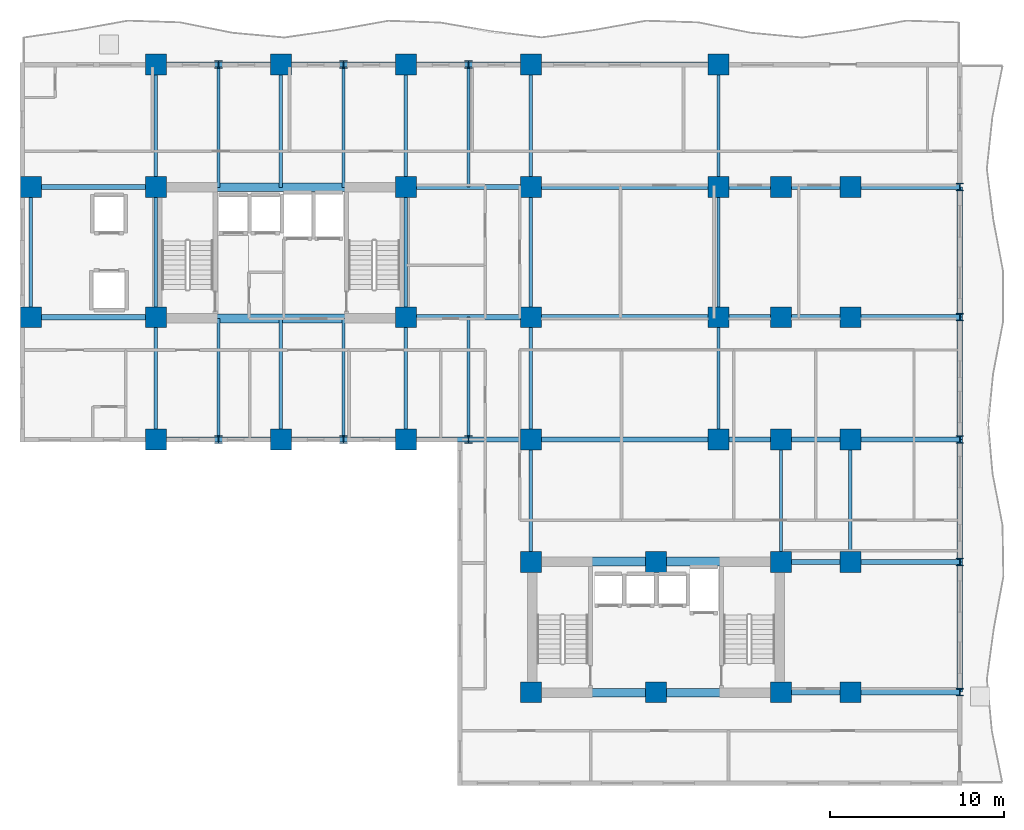
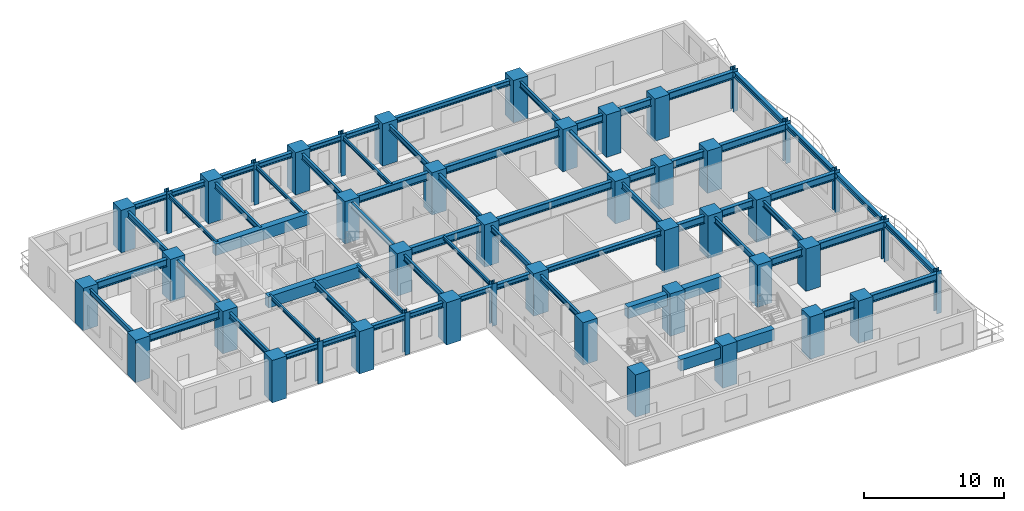
# One storey, part 1 of 11: 65 beams, 45 columns.
"""IFC4 building model written with IfcOpenShell, lengths in metres."""

from ifc_helpers import new_model, si_unit, direction, frame, origin, origin_2d, place, context, subcontext, project, spatial, rectangle, i_section, extrude, source, transform, mapped, material, material_profile, profile_set, type_object, element, save


model = new_model("IFC4")

# Units and contexts
model_context = context("Model", 3, precision=1e-05, world=origin(), true_north=direction((0.0, 1.0)))
body_context = subcontext(model_context, "Body", "Model", "MODEL_VIEW")
ifc_project = project(units=[si_unit("LENGTHUNIT", "METRE"), si_unit("AREAUNIT", "SQUARE_METRE"), si_unit("VOLUMEUNIT", "CUBIC_METRE"), si_unit("PLANEANGLEUNIT", "RADIAN"), si_unit("MASSUNIT", "GRAM", prefix="KILO")], contexts=[model_context])

# Site, building, storey
site_placement = place(None, origin())
site = spatial("IfcSite", under=ifc_project, at=site_placement, CompositionType="ELEMENT")
building_placement = place(site_placement, origin())
building = spatial("IfcBuilding", under=site, at=building_placement, Name="Kaliganga Portal Commons", CompositionType="ELEMENT")
storey_placement = place(building_placement, frame((0.0, 0.0, 100.800048828125)))
storey = spatial("IfcBuildingStorey", under=building, at=storey_placement, Name="L25", CompositionType="ELEMENT", Elevation=100.800048828125)

# Columns
ifc_material_1 = material(Name="Concrete C60/75", Category="concrete")
ifc_material_profile_1 = material_profile(ifc_material_1, rectangle(XDim=1.199951171875, YDim=1.199951171875, at=origin_2d()), Name="RC 1200x1200")
ifc_profile_set_1 = profile_set([ifc_material_profile_1], Name="Concrete C60/75")
column_type_1 = type_object("IfcColumnType", Name="COL-MEGA-Z2", PredefinedType="COLUMN", material=ifc_profile_set_1)
shared_shape_1 = source(origin(), body_context, "Body", "SweptSolid", [
    extrude(rectangle(XDim=1.199951171875, YDim=1.199951171875, at=origin_2d()), origin(), (0.0, 0.0, 1.0), 3.699951171875),
])
for number, where, z_axis, x_axis, name in (
    (1, (7.199951171875, 28.64990234375, 0.0), (0.0, 0.0, 1.0), (1.0, 0.0, 0.0), "Column MC-03 L25"),
    (2, (7.199951171875, 36.14990234375, 0.0), (0.0, 0.0, 1.0), (1.0, 0.0, 0.0), "Column MC-03 L25"),
    (3, (14.39990234375, 21.60009765625, 0.0), (0.0, 0.0, 1.0), (1.0, 0.0, 0.0), "Column MC-03 L25"),
    (4, (14.39990234375, 28.64990234375, 0.0), (0.0, 0.0, 1.0), (1.0, 0.0, 0.0), "Column MC-03 L25"),
    (5, (14.39990234375, 36.14990234375, 0.0), (0.0, 0.0, 1.0), (1.0, 0.0, 0.0), "Column MC-03 L25"),
    (6, (14.39990234375, 43.199951171875, 0.0), (0.0, 0.0, 1.0), (1.0, 0.0, 0.0), "Column MC-03 L25"),
    (7, (21.60009765625, 21.60009765625, 0.0), (0.0, 0.0, 1.0), (1.0, 0.0, 0.0), "Column MC-03 L25"),
    (8, (21.60009765625, 43.199951171875, 0.0), (0.0, 0.0, 1.0), (1.0, 0.0, 0.0), "Column MC-03 L25"),
    (9, (28.800048828125, 21.60009765625, 0.0), (0.0, 0.0, 1.0), (1.0, 0.0, 0.0), "Column MC-03 L25"),
    (10, (28.800048828125, 28.64990234375, 0.0), (0.0, 0.0, 1.0), (1.0, 0.0, 0.0), "Column MC-03 L25"),
    (11, (28.800048828125, 36.14990234375, 0.0), (0.0, 0.0, 1.0), (1.0, 0.0, 0.0), "Column MC-03 L25"),
    (12, (28.800048828125, 43.199951171875, 0.0), (0.0, 0.0, 1.0), (1.0, 0.0, 0.0), "Column MC-03 L25"),
    (13, (36.0, 21.60009765625, 0.0), (0.0, 0.0, 1.0), (1.0, 0.0, 0.0), "Column MC-03 L25"),
    (14, (36.0, 43.199951171875, 0.0), (0.0, 0.0, 1.0), (1.0, 0.0, 0.0), "Column MC-03 L25"),
    (15, (36.0, 28.64990234375, 0.0), (0.0, 0.0, 1.0), (1.0, 0.0, 0.0), "Column MC-03 L25"),
    (16, (36.0, 36.14990234375, 0.0), (0.0, 0.0, 1.0), (1.0, 0.0, 0.0), "Column MC-03 L25"),
    (17, (46.800048828125, 21.60009765625, 0.0), (0.0, 0.0, 1.0), (1.0, 0.0, 0.0), "Column MC-03 L25"),
    (18, (46.800048828125, 28.64990234375, 0.0), (0.0, 0.0, 1.0), (1.0, 0.0, 0.0), "Column MC-03 L25"),
    (19, (46.800048828125, 36.14990234375, 0.0), (0.0, 0.0, 1.0), (1.0, 0.0, 0.0), "Column MC-03 L25"),
    (20, (46.800048828125, 43.199951171875, 0.0), (0.0, 0.0, 1.0), (1.0, 0.0, 0.0), "Column MC-03 L25"),
    (21, (36.0, 7.050048828125, 0.0), (0.0, 0.0, 1.0), (1.0, 0.0, 0.0), "Column MC-03 L25"),
    (22, (36.0, 14.550048828125, 0.0), (0.0, 0.0, 1.0), (1.0, 0.0, 0.0), "Column MC-03 L25"),
    (23, (43.199951171875, 7.050048828125, 0.0), (0.0, 0.0, 1.0), (1.0, 0.0, 0.0), "Column MC-03 L25"),
    (24, (43.199951171875, 14.550048828125, 0.0), (0.0, 0.0, 1.0), (1.0, 0.0, 0.0), "Column MC-03 L25"),
    (25, (50.39990234375, 7.050048828125, 0.0), (0.0, 0.0, 1.0), (1.0, 0.0, 0.0), "Column MC-03 L25"),
    (26, (50.39990234375, 14.550048828125, 0.0), (0.0, 0.0, 1.0), (1.0, 0.0, 0.0), "Column MC-03 L25"),
    (27, (50.39990234375, 21.60009765625, 0.0), (0.0, 0.0, 1.0), (1.0, 0.0, 0.0), "Column MC-03 L25"),
    (28, (50.39990234375, 28.64990234375, 0.0), (0.0, 0.0, 1.0), (1.0, 0.0, 0.0), "Column MC-03 L25"),
    (29, (50.39990234375, 36.14990234375, 0.0), (0.0, 0.0, 1.0), (1.0, 0.0, 0.0), "Column MC-03 L25"),
    (30, (54.39990234375, 7.050048828125, 0.0), (0.0, 0.0, 1.0), (1.0, 0.0, 0.0), "Column MC-03 L25"),
    (31, (54.39990234375, 14.550048828125, 0.0), (0.0, 0.0, 1.0), (1.0, 0.0, 0.0), "Column MC-03 L25"),
    (32, (54.39990234375, 21.60009765625, 0.0), (0.0, 0.0, 1.0), (1.0, 0.0, 0.0), "Column MC-03 L25"),
    (33, (54.39990234375, 28.64990234375, 0.0), (0.0, 0.0, 1.0), (1.0, 0.0, 0.0), "Column MC-03 L25"),
    (34, (54.39990234375, 36.14990234375, 0.0), (0.0, 0.0, 1.0), (1.0, 0.0, 0.0), "Column MC-03 L25"),
):
    element("IfcColumn", number, at=place(storey_placement, frame(where, z_axis=z_axis, x_axis=x_axis)), inside=storey, type_object=column_type_1, Name=name, PredefinedType="COLUMN", context=body_context, shape_type="MappedRepresentation", body=[
        mapped(shared_shape_1, transform((0.0, 0.0, 0.0), x_axis=(1.0, 0.0, 0.0), y_axis=(0.0, 1.0, 0.0), z_axis=(0.0, 0.0, 1.0), scale=1.0)),
    ])
ifc_material_2 = material(Name="Structural steel S460M", Category="steel")
ifc_material_profile_2 = material_profile(ifc_material_2, i_section(OverallWidth=0.408935546875, OverallDepth=0.429931640625, WebThickness=0.0244140625, FlangeThickness=0.033447265625, FilletRadius=0.014892578125, at=origin_2d()), Name="HD 400x421")
ifc_profile_set_2 = profile_set([ifc_material_profile_2], Name="Structural steel S460M wide-flange")
column_type_2 = type_object("IfcColumnType", Name="COL-TUBE-B2", PredefinedType="COLUMN", material=ifc_profile_set_2)
shared_shape_2 = source(origin(), body_context, "Body", "SweptSolid", [
    extrude(i_section(OverallWidth=0.408935546875, OverallDepth=0.429931640625, WebThickness=0.0244140625, FlangeThickness=0.033447265625, FilletRadius=0.014892578125, at=origin_2d()), origin(), (0.0, 0.0, 1.0), 3.699951171875),
])
for number, where, z_axis, x_axis, name in (
    (35, (18.0, 21.60009765625, 0.0), (0.0, 0.0, 1.0), (1.0, 0.0, 0.0), "Column TC-02 L25"),
    (36, (18.0, 43.199951171875, 0.0), (0.0, 0.0, 1.0), (1.0, 0.0, 0.0), "Column TC-02 L25"),
    (37, (25.199951171875, 21.60009765625, 0.0), (0.0, 0.0, 1.0), (1.0, 0.0, 0.0), "Column TC-02 L25"),
    (38, (25.199951171875, 43.199951171875, 0.0), (0.0, 0.0, 1.0), (1.0, 0.0, 0.0), "Column TC-02 L25"),
    (39, (32.39990234375, 21.60009765625, 0.0), (0.0, 0.0, 1.0), (1.0, 0.0, 0.0), "Column TC-02 L25"),
    (40, (32.39990234375, 43.199951171875, 0.0), (0.0, 0.0, 1.0), (1.0, 0.0, 0.0), "Column TC-02 L25"),
    (41, (60.699951171875, 7.050048828125, 0.0), (0.0, 0.0, 1.0), (1.0, 0.0, 0.0), "Column TC-02 L25"),
    (42, (60.699951171875, 14.550048828125, 0.0), (0.0, 0.0, 1.0), (1.0, 0.0, 0.0), "Column TC-02 L25"),
    (43, (60.699951171875, 21.60009765625, 0.0), (0.0, 0.0, 1.0), (1.0, 0.0, 0.0), "Column TC-02 L25"),
    (44, (60.699951171875, 28.64990234375, 0.0), (0.0, 0.0, 1.0), (1.0, 0.0, 0.0), "Column TC-02 L25"),
    (45, (60.699951171875, 36.14990234375, 0.0), (0.0, 0.0, 1.0), (1.0, 0.0, 0.0), "Column TC-02 L25"),
):
    element("IfcColumn", number, at=place(storey_placement, frame(where, z_axis=z_axis, x_axis=x_axis)), inside=storey, type_object=column_type_2, Name=name, PredefinedType="COLUMN", context=body_context, shape_type="MappedRepresentation", body=[
        mapped(shared_shape_2, transform((0.0, 0.0, 0.0), x_axis=(1.0, 0.0, 0.0), y_axis=(0.0, 1.0, 0.0), z_axis=(0.0, 0.0, 1.0), scale=1.0)),
    ])

# Beams
ifc_material_3 = material(Name="Concrete C50/60", Category="concrete")
ifc_material_profile_3 = material_profile(ifc_material_3, rectangle(XDim=0.5, YDim=1.0, at=origin_2d()), Name="RC 500x1000")
ifc_profile_set_3 = profile_set([ifc_material_profile_3], Name="Concrete C50/60")
beam_type_1 = type_object("IfcBeamType", Name="BM-CPL-1000", PredefinedType="LINTEL", material=ifc_profile_set_3)
shared_shape_3 = source(origin(), body_context, "Body", "SweptSolid", [
    extrude(rectangle(XDim=0.5, YDim=1.0, at=origin_2d()), origin(), (0.0, 0.0, 1.0), 7.739990234375),
])
for number, where, z_axis, x_axis, name in (
    (46, (17.72998046875, 28.574951171875, 2.949951171875), (1.0, 0.0, 0.0), (0.0, 1.0, 0.0), "BM CPL COREA L25 S"),
    (47, (17.72998046875, 36.125, 2.949951171875), (1.0, 0.0, 0.0), (0.0, 1.0, 0.0), "BM CPL COREA L25 N"),
    (48, (39.330078125, 7.02490234375, 2.949951171875), (1.0, 0.0, 0.0), (0.0, 1.0, 0.0), "BM CPL COREB L25 S"),
    (49, (39.330078125, 14.574951171875, 2.949951171875), (1.0, 0.0, 0.0), (0.0, 1.0, 0.0), "BM CPL COREB L25 N"),
):
    element("IfcBeam", number, at=place(storey_placement, frame(where, z_axis=z_axis, x_axis=x_axis)), inside=storey, type_object=beam_type_1, Name=name, PredefinedType="LINTEL", context=body_context, shape_type="MappedRepresentation", body=[
        mapped(shared_shape_3, transform((0.0, 0.0, 0.0), x_axis=(1.0, 0.0, 0.0), y_axis=(0.0, 1.0, 0.0), z_axis=(0.0, 0.0, 1.0), scale=1.0)),
    ])
ifc_material_4 = material(Name="Structural steel S355J2", Category="steel")
ifc_material_profile_4 = material_profile(ifc_material_4, i_section(OverallWidth=0.300048828125, OverallDepth=0.64990234375, WebThickness=0.01611328125, FlangeThickness=0.031005859375, FilletRadius=0.027099609375, at=origin_2d()), Name="HE 650 B")
ifc_profile_set_4 = profile_set([ifc_material_profile_4], Name="Structural steel S355J2 wide-flange")
beam_type_2 = type_object("IfcBeamType", Name="BM-GIRD-650", PredefinedType="USERDEFINED", material=ifc_profile_set_4)
shared_shape_4 = source(origin(), body_context, "Body", "SweptSolid", [
    extrude(i_section(OverallWidth=0.300048828125, OverallDepth=0.64990234375, WebThickness=0.01611328125, FlangeThickness=0.031005859375, FilletRadius=0.027099609375, at=origin_2d()), origin(), (0.0, 0.0, 1.0), 3.599853515625),
])
for number, where, z_axis, x_axis, name in (
    (50, (46.800048828125, 21.60009765625, 3.125), (1.0, 0.0, 0.0), (0.0, 1.0, 0.0), "BM G L25 BKE216 1"),
    (51, (46.800048828125, 28.64990234375, 3.125), (1.0, 0.0, 0.0), (0.0, 1.0, 0.0), "BM G L25 BKE286 1"),
    (52, (46.800048828125, 36.14990234375, 3.125), (1.0, 0.0, 0.0), (0.0, 1.0, 0.0), "BM G L25 BKE362 1"),
):
    element("IfcBeam", number, at=place(storey_placement, frame(where, z_axis=z_axis, x_axis=x_axis)), inside=storey, type_object=beam_type_2, Name=name, ObjectType="GIRDER", PredefinedType="USERDEFINED", context=body_context, shape_type="MappedRepresentation", body=[
        mapped(shared_shape_4, transform((0.0, 0.0, 0.0), x_axis=(1.0, 0.0, 0.0), y_axis=(0.0, 1.0, 0.0), z_axis=(0.0, 0.0, 1.0), scale=1.0)),
    ])
shared_shape_5 = source(origin(), body_context, "Body", "SweptSolid", [
    extrude(i_section(OverallWidth=0.300048828125, OverallDepth=0.64990234375, WebThickness=0.01611328125, FlangeThickness=0.031005859375, FilletRadius=0.027099609375, at=origin_2d()), origin(), (0.0, 0.0, 1.0), 7.199951171875),
])
for number, where, z_axis, x_axis, name in (
    (53, (7.199951171875, 28.64990234375, 3.125), (1.0, 0.0, 0.0), (0.0, 1.0, 0.0), "BM G L25 WAH_S 1"),
    (54, (7.199951171875, 36.14990234375, 3.125), (1.0, 0.0, 0.0), (0.0, 1.0, 0.0), "BM G L25 WAH_N 1"),
    (55, (28.800048828125, 28.64990234375, 3.125), (1.0, 0.0, 0.0), (0.0, 1.0, 0.0), "BM G L25 WAE_S 1"),
    (56, (28.800048828125, 36.14990234375, 3.125), (1.0, 0.0, 0.0), (0.0, 1.0, 0.0), "BM G L25 WAE_N 1"),
):
    element("IfcBeam", number, at=place(storey_placement, frame(where, z_axis=z_axis, x_axis=x_axis)), inside=storey, type_object=beam_type_2, Name=name, ObjectType="GIRDER", PredefinedType="USERDEFINED", context=body_context, shape_type="MappedRepresentation", body=[
        mapped(shared_shape_5, transform((0.0, 0.0, 0.0), x_axis=(1.0, 0.0, 0.0), y_axis=(0.0, 1.0, 0.0), z_axis=(0.0, 0.0, 1.0), scale=1.0)),
    ])
shared_shape_6 = source(origin(), body_context, "Body", "SweptSolid", [
    extrude(i_section(OverallWidth=0.300048828125, OverallDepth=0.64990234375, WebThickness=0.01611328125, FlangeThickness=0.031005859375, FilletRadius=0.027099609375, at=origin_2d()), origin(), (0.0, 0.0, 1.0), 10.800048828125),
])
for number, where, z_axis, x_axis, name in (
    (57, (36.0, 28.64990234375, 3.125), (1.0, 0.0, 0.0), (0.0, 1.0, 0.0), "BM G L25 WAE_S 2"),
    (58, (36.0, 36.14990234375, 3.125), (1.0, 0.0, 0.0), (0.0, 1.0, 0.0), "BM G L25 WAE_N 2"),
):
    element("IfcBeam", number, at=place(storey_placement, frame(where, z_axis=z_axis, x_axis=x_axis)), inside=storey, type_object=beam_type_2, Name=name, ObjectType="GIRDER", PredefinedType="USERDEFINED", context=body_context, shape_type="MappedRepresentation", body=[
        mapped(shared_shape_6, transform((0.0, 0.0, 0.0), x_axis=(1.0, 0.0, 0.0), y_axis=(0.0, 1.0, 0.0), z_axis=(0.0, 0.0, 1.0), scale=1.0)),
    ])
shared_shape_7 = source(origin(), body_context, "Body", "SweptSolid", [
    extrude(i_section(OverallWidth=0.300048828125, OverallDepth=0.64990234375, WebThickness=0.01611328125, FlangeThickness=0.031005859375, FilletRadius=0.027099609375, at=origin_2d()), origin(), (0.0, 0.0, 1.0), 4.0),
])
for number, where, z_axis, x_axis, name in (
    (59, (50.39990234375, 7.050048828125, 3.125), (1.0, 0.0, 0.0), (0.0, 1.0, 0.0), "BM G L25 BKE70 1"),
    (60, (50.39990234375, 14.550048828125, 3.125), (1.0, 0.0, 0.0), (0.0, 1.0, 0.0), "BM G L25 BKE146 1"),
    (61, (50.39990234375, 21.60009765625, 3.125), (1.0, 0.0, 0.0), (0.0, 1.0, 0.0), "BM G L25 BKE216 2"),
    (62, (50.39990234375, 28.64990234375, 3.125), (1.0, 0.0, 0.0), (0.0, 1.0, 0.0), "BM G L25 BKE286 2"),
    (63, (50.39990234375, 36.14990234375, 3.125), (1.0, 0.0, 0.0), (0.0, 1.0, 0.0), "BM G L25 BKE362 2"),
):
    element("IfcBeam", number, at=place(storey_placement, frame(where, z_axis=z_axis, x_axis=x_axis)), inside=storey, type_object=beam_type_2, Name=name, ObjectType="GIRDER", PredefinedType="USERDEFINED", context=body_context, shape_type="MappedRepresentation", body=[
        mapped(shared_shape_7, transform((0.0, 0.0, 0.0), x_axis=(1.0, 0.0, 0.0), y_axis=(0.0, 1.0, 0.0), z_axis=(0.0, 0.0, 1.0), scale=1.0)),
    ])
ifc_material_profile_5 = material_profile(ifc_material_4, i_section(OverallWidth=0.199951171875, OverallDepth=0.5, WebThickness=0.01025390625, FlangeThickness=0.01611328125, FilletRadius=0.02099609375, at=origin_2d()), Name="IPE 500")
ifc_profile_set_5 = profile_set([ifc_material_profile_5], Name="Structural steel S355J2 wide-flange")
beam_type_3 = type_object("IfcBeamType", Name="BM-FLR-500", PredefinedType="BEAM", material=ifc_profile_set_5)
shared_shape_8 = source(origin(), body_context, "Body", "SweptSolid", [
    extrude(i_section(OverallWidth=0.199951171875, OverallDepth=0.5, WebThickness=0.01025390625, FlangeThickness=0.01611328125, FilletRadius=0.02099609375, at=origin_2d()), origin(), (0.0, 0.0, 1.0), 7.5),
])
for number, where, z_axis, x_axis, name in (
    (64, (7.199951171875, 28.64990234375, 3.199951171875), (0.0, 1.0, 0.0), (-1.0, 0.0, 0.0), "BM G L25 AW72"),
    (65, (14.39990234375, 28.64990234375, 3.199951171875), (0.0, 1.0, 0.0), (-1.0, 0.0, 0.0), "BM G L25 AM144"),
    (66, (28.800048828125, 28.64990234375, 3.199951171875), (0.0, 1.0, 0.0), (-1.0, 0.0, 0.0), "BM G L25 AM288"),
    (67, (36.0, 28.64990234375, 3.199951171875), (0.0, 1.0, 0.0), (-1.0, 0.0, 0.0), "BM G L25 AM360"),
    (68, (46.800048828125, 28.64990234375, 3.199951171875), (0.0, 1.0, 0.0), (-1.0, 0.0, 0.0), "BM G L25 AM468"),
):
    element("IfcBeam", number, at=place(storey_placement, frame(where, z_axis=z_axis, x_axis=x_axis)), inside=storey, type_object=beam_type_3, Name=name, PredefinedType="BEAM", context=body_context, shape_type="MappedRepresentation", body=[
        mapped(shared_shape_8, transform((0.0, 0.0, 0.0), x_axis=(1.0, 0.0, 0.0), y_axis=(0.0, 1.0, 0.0), z_axis=(0.0, 0.0, 1.0), scale=1.0)),
    ])
shared_shape_9 = source(origin(), body_context, "Body", "SweptSolid", [
    extrude(i_section(OverallWidth=0.199951171875, OverallDepth=0.5, WebThickness=0.01025390625, FlangeThickness=0.01611328125, FilletRadius=0.02099609375, at=origin_2d()), origin(), (0.0, 0.0, 1.0), 7.050048828125),
])
for number, where, z_axis, x_axis, name in (
    (69, (14.39990234375, 36.14990234375, 3.199951171875), (0.0, 1.0, 0.0), (-1.0, 0.0, 0.0), "BM G L25 AN144"),
    (70, (28.800048828125, 36.14990234375, 3.199951171875), (0.0, 1.0, 0.0), (-1.0, 0.0, 0.0), "BM G L25 AN288"),
    (71, (36.0, 36.14990234375, 3.199951171875), (0.0, 1.0, 0.0), (-1.0, 0.0, 0.0), "BM G L25 AN360"),
    (72, (46.800048828125, 36.14990234375, 3.199951171875), (0.0, 1.0, 0.0), (-1.0, 0.0, 0.0), "BM G L25 AN468"),
    (73, (36.0, 14.550048828125, 3.199951171875), (0.0, 1.0, 0.0), (-1.0, 0.0, 0.0), "BM G L25 BNK360"),
    (74, (50.39990234375, 14.550048828125, 3.199951171875), (0.0, 1.0, 0.0), (-1.0, 0.0, 0.0), "BM G L25 BNK504"),
    (75, (54.39990234375, 14.550048828125, 3.199951171875), (0.0, 1.0, 0.0), (-1.0, 0.0, 0.0), "BM G L25 BNK544"),
):
    element("IfcBeam", number, at=place(storey_placement, frame(where, z_axis=z_axis, x_axis=x_axis)), inside=storey, type_object=beam_type_3, Name=name, PredefinedType="BEAM", context=body_context, shape_type="MappedRepresentation", body=[
        mapped(shared_shape_9, transform((0.0, 0.0, 0.0), x_axis=(1.0, 0.0, 0.0), y_axis=(0.0, 1.0, 0.0), z_axis=(0.0, 0.0, 1.0), scale=1.0)),
    ])
shared_shape_10 = source(origin(), body_context, "Body", "SweptSolid", [
    extrude(i_section(OverallWidth=0.199951171875, OverallDepth=0.5, WebThickness=0.01025390625, FlangeThickness=0.01611328125, FilletRadius=0.02099609375, at=origin_2d()), origin(), (0.0, 0.0, 1.0), 7.0498046875),
])
for number, where, z_axis, x_axis, name in (
    (76, (14.39990234375, 21.60009765625, 3.199951171875), (0.0, 1.0, 0.0), (-1.0, 0.0, 0.0), "BM G L25 AS144"),
    (77, (28.800048828125, 21.60009765625, 3.199951171875), (0.0, 1.0, 0.0), (-1.0, 0.0, 0.0), "BM G L25 AS288"),
    (78, (36.0, 21.60009765625, 3.199951171875), (0.0, 1.0, 0.0), (-1.0, 0.0, 0.0), "BM G L25 AS360"),
    (79, (46.800048828125, 21.60009765625, 3.199951171875), (0.0, 1.0, 0.0), (-1.0, 0.0, 0.0), "BM G L25 AS468"),
):
    element("IfcBeam", number, at=place(storey_placement, frame(where, z_axis=z_axis, x_axis=x_axis)), inside=storey, type_object=beam_type_3, Name=name, PredefinedType="BEAM", context=body_context, shape_type="MappedRepresentation", body=[
        mapped(shared_shape_10, transform((0.0, 0.0, 0.0), x_axis=(1.0, 0.0, 0.0), y_axis=(0.0, 1.0, 0.0), z_axis=(0.0, 0.0, 1.0), scale=1.0)),
    ])
shared_shape_11 = source(origin(), body_context, "Body", "SweptSolid", [
    extrude(i_section(OverallWidth=0.199951171875, OverallDepth=0.5, WebThickness=0.01025390625, FlangeThickness=0.01611328125, FilletRadius=0.02099609375, at=origin_2d()), origin(), (0.0, 0.0, 1.0), 7.074951171875),
])
beam_1_placement = place(storey_placement, frame((21.60009765625, 36.125, 3.199951171875), z_axis=(0.0, 1.0, 0.0), x_axis=(-1.0, 0.0, 0.0)))
element("IfcBeam", 80, at=beam_1_placement, inside=storey, type_object=beam_type_3, Name="BM G L25 AN216", PredefinedType="BEAM", context=body_context, shape_type="MappedRepresentation", body=[
    mapped(shared_shape_11, transform((0.0, 0.0, 0.0), x_axis=(1.0, 0.0, 0.0), y_axis=(0.0, 1.0, 0.0), z_axis=(0.0, 0.0, 1.0), scale=1.0)),
])
shared_shape_12 = source(origin(), body_context, "Body", "SweptSolid", [
    extrude(i_section(OverallWidth=0.199951171875, OverallDepth=0.5, WebThickness=0.01025390625, FlangeThickness=0.01611328125, FilletRadius=0.02099609375, at=origin_2d()), origin(), (0.0, 0.0, 1.0), 6.974853515625),
])
beam_2_placement = place(storey_placement, frame((21.60009765625, 21.60009765625, 3.199951171875), z_axis=(0.0, 1.0, 0.0), x_axis=(-1.0, 0.0, 0.0)))
element("IfcBeam", 81, at=beam_2_placement, inside=storey, type_object=beam_type_3, Name="BM G L25 AS216", PredefinedType="BEAM", context=body_context, shape_type="MappedRepresentation", body=[
    mapped(shared_shape_12, transform((0.0, 0.0, 0.0), x_axis=(1.0, 0.0, 0.0), y_axis=(0.0, 1.0, 0.0), z_axis=(0.0, 0.0, 1.0), scale=1.0)),
])
shared_shape_13 = source(origin(), body_context, "Body", "SweptSolid", [
    extrude(i_section(OverallWidth=0.300048828125, OverallDepth=0.64990234375, WebThickness=0.01611328125, FlangeThickness=0.031005859375, FilletRadius=0.027099609375, at=origin_2d()), origin(), (0.0, 0.0, 1.0), 6.300048828125),
])
for number, where, z_axis, x_axis, name in (
    (82, (54.39990234375, 7.050048828125, 3.125), (1.0, 0.0, 0.0), (0.0, 1.0, 0.0), "BM G L25 BKE70 2"),
    (83, (54.39990234375, 14.550048828125, 3.125), (1.0, 0.0, 0.0), (0.0, 1.0, 0.0), "BM G L25 BKE146 2"),
    (84, (54.39990234375, 21.60009765625, 3.125), (1.0, 0.0, 0.0), (0.0, 1.0, 0.0), "BM G L25 BKE216 3"),
    (85, (54.39990234375, 28.64990234375, 3.125), (1.0, 0.0, 0.0), (0.0, 1.0, 0.0), "BM G L25 BKE286 3"),
    (86, (54.39990234375, 36.14990234375, 3.125), (1.0, 0.0, 0.0), (0.0, 1.0, 0.0), "BM G L25 BKE362 3"),
):
    element("IfcBeam", number, at=place(storey_placement, frame(where, z_axis=z_axis, x_axis=x_axis)), inside=storey, type_object=beam_type_2, Name=name, ObjectType="GIRDER", PredefinedType="USERDEFINED", context=body_context, shape_type="MappedRepresentation", body=[
        mapped(shared_shape_13, transform((0.0, 0.0, 0.0), x_axis=(1.0, 0.0, 0.0), y_axis=(0.0, 1.0, 0.0), z_axis=(0.0, 0.0, 1.0), scale=1.0)),
    ])
ifc_material_profile_6 = material_profile(ifc_material_4, i_section(OverallWidth=0.300048828125, OverallDepth=0.449951171875, WebThickness=0.013916015625, FlangeThickness=0.02587890625, FilletRadius=0.027099609375, at=origin_2d()), Name="HE 450 B")
ifc_profile_set_6 = profile_set([ifc_material_profile_6], Name="Structural steel S355J2 wide-flange")
beam_type_4 = type_object("IfcBeamType", Name="BM-SPAND-450", PredefinedType="SPANDREL", material=ifc_profile_set_6)
shared_shape_14 = source(origin(), body_context, "Body", "SweptSolid", [
    extrude(i_section(OverallWidth=0.300048828125, OverallDepth=0.449951171875, WebThickness=0.013916015625, FlangeThickness=0.02587890625, FilletRadius=0.027099609375, at=origin_2d()), origin(), (0.0, 0.0, 1.0), 3.60009765625),
])
for number, where, z_axis, x_axis, name in (
    (87, (14.39990234375, 43.199951171875, 3.224853515625), (1.0, 0.0, 0.0), (0.0, 1.0, 0.0), "BM SP L25 AN 1"),
    (88, (18.0, 43.199951171875, 3.224853515625), (1.0, 0.0, 0.0), (0.0, 1.0, 0.0), "BM SP L25 AN 2"),
    (89, (25.199951171875, 43.199951171875, 3.224853515625), (1.0, 0.0, 0.0), (0.0, 1.0, 0.0), "BM SP L25 AN 4"),
    (90, (32.39990234375, 43.199951171875, 3.224853515625), (1.0, 0.0, 0.0), (0.0, 1.0, 0.0), "BM SP L25 AN 6"),
    (91, (14.39990234375, 21.60009765625, 3.224853515625), (1.0, 0.0, 0.0), (0.0, 1.0, 0.0), "BM SP L25 AS 1"),
    (92, (18.0, 21.60009765625, 3.224853515625), (1.0, 0.0, 0.0), (0.0, 1.0, 0.0), "BM SP L25 AS 2"),
    (93, (25.199951171875, 21.60009765625, 3.224853515625), (1.0, 0.0, 0.0), (0.0, 1.0, 0.0), "BM SP L25 AS 4"),
    (94, (32.39990234375, 21.60009765625, 3.224853515625), (1.0, 0.0, 0.0), (0.0, 1.0, 0.0), "BM SP L25 AS 6"),
):
    element("IfcBeam", number, at=place(storey_placement, frame(where, z_axis=z_axis, x_axis=x_axis)), inside=storey, type_object=beam_type_4, Name=name, PredefinedType="SPANDREL", context=body_context, shape_type="MappedRepresentation", body=[
        mapped(shared_shape_14, transform((0.0, 0.0, 0.0), x_axis=(1.0, 0.0, 0.0), y_axis=(0.0, 1.0, 0.0), z_axis=(0.0, 0.0, 1.0), scale=1.0)),
    ])
shared_shape_15 = source(origin(), body_context, "Body", "SweptSolid", [
    extrude(i_section(OverallWidth=0.300048828125, OverallDepth=0.449951171875, WebThickness=0.013916015625, FlangeThickness=0.02587890625, FilletRadius=0.027099609375, at=origin_2d()), origin(), (0.0, 0.0, 1.0), 3.599853515625),
])
for number, where, z_axis, x_axis, name in (
    (95, (21.60009765625, 43.199951171875, 3.224853515625), (1.0, 0.0, 0.0), (0.0, 1.0, 0.0), "BM SP L25 AN 3"),
    (96, (28.800048828125, 43.199951171875, 3.224853515625), (1.0, 0.0, 0.0), (0.0, 1.0, 0.0), "BM SP L25 AN 5"),
    (97, (21.60009765625, 21.60009765625, 3.224853515625), (1.0, 0.0, 0.0), (0.0, 1.0, 0.0), "BM SP L25 AS 3"),
    (98, (28.800048828125, 21.60009765625, 3.224853515625), (1.0, 0.0, 0.0), (0.0, 1.0, 0.0), "BM SP L25 AS 5"),
):
    element("IfcBeam", number, at=place(storey_placement, frame(where, z_axis=z_axis, x_axis=x_axis)), inside=storey, type_object=beam_type_4, Name=name, PredefinedType="SPANDREL", context=body_context, shape_type="MappedRepresentation", body=[
        mapped(shared_shape_15, transform((0.0, 0.0, 0.0), x_axis=(1.0, 0.0, 0.0), y_axis=(0.0, 1.0, 0.0), z_axis=(0.0, 0.0, 1.0), scale=1.0)),
    ])
shared_shape_16 = source(origin(), body_context, "Body", "SweptSolid", [
    extrude(i_section(OverallWidth=0.300048828125, OverallDepth=0.449951171875, WebThickness=0.013916015625, FlangeThickness=0.02587890625, FilletRadius=0.027099609375, at=origin_2d()), origin(), (0.0, 0.0, 1.0), 10.800048828125),
])
for number, where, z_axis, x_axis, name in (
    (99, (36.0, 43.199951171875, 3.224853515625), (1.0, 0.0, 0.0), (0.0, 1.0, 0.0), "BM SP L25 AN 7"),
    (100, (36.0, 21.60009765625, 3.224853515625), (1.0, 0.0, 0.0), (0.0, 1.0, 0.0), "BM SP L25 AS 7"),
):
    element("IfcBeam", number, at=place(storey_placement, frame(where, z_axis=z_axis, x_axis=x_axis)), inside=storey, type_object=beam_type_4, Name=name, PredefinedType="SPANDREL", context=body_context, shape_type="MappedRepresentation", body=[
        mapped(shared_shape_16, transform((0.0, 0.0, 0.0), x_axis=(1.0, 0.0, 0.0), y_axis=(0.0, 1.0, 0.0), z_axis=(0.0, 0.0, 1.0), scale=1.0)),
    ])
ifc_material_profile_7 = material_profile(ifc_material_4, i_section(OverallWidth=0.159912109375, OverallDepth=0.330078125, WebThickness=0.007568359375, FlangeThickness=0.011474609375, FilletRadius=0.01806640625, at=origin_2d()), Name="IPE 330")
ifc_profile_set_7 = profile_set([ifc_material_profile_7], Name="Structural steel S355J2 wide-flange")
beam_type_5 = type_object("IfcBeamType", Name="BM-JST-330", PredefinedType="JOIST", material=ifc_profile_set_7)
shared_shape_17 = source(origin(), body_context, "Body", "SweptSolid", [
    extrude(i_section(OverallWidth=0.159912109375, OverallDepth=0.330078125, WebThickness=0.007568359375, FlangeThickness=0.011474609375, FilletRadius=0.01806640625, at=origin_2d()), origin(), (0.0, 0.0, 1.0), 7.074951171875),
])
for number, where, z_axis, x_axis, name in (
    (101, (18.0, 36.125, 3.284912109375), (0.0, 1.0, 0.0), (-1.0, 0.0, 0.0), "BM G L25 AN180"),
    (102, (25.199951171875, 36.125, 3.284912109375), (0.0, 1.0, 0.0), (-1.0, 0.0, 0.0), "BM G L25 AN252"),
):
    element("IfcBeam", number, at=place(storey_placement, frame(where, z_axis=z_axis, x_axis=x_axis)), inside=storey, type_object=beam_type_5, Name=name, PredefinedType="JOIST", context=body_context, shape_type="MappedRepresentation", body=[
        mapped(shared_shape_17, transform((0.0, 0.0, 0.0), x_axis=(1.0, 0.0, 0.0), y_axis=(0.0, 1.0, 0.0), z_axis=(0.0, 0.0, 1.0), scale=1.0)),
    ])
shared_shape_18 = source(origin(), body_context, "Body", "SweptSolid", [
    extrude(i_section(OverallWidth=0.159912109375, OverallDepth=0.330078125, WebThickness=0.007568359375, FlangeThickness=0.011474609375, FilletRadius=0.01806640625, at=origin_2d()), origin(), (0.0, 0.0, 1.0), 6.974853515625),
])
for number, where, z_axis, x_axis, name in (
    (103, (18.0, 21.60009765625, 3.284912109375), (0.0, 1.0, 0.0), (-1.0, 0.0, 0.0), "BM G L25 AS180"),
    (104, (25.199951171875, 21.60009765625, 3.284912109375), (0.0, 1.0, 0.0), (-1.0, 0.0, 0.0), "BM G L25 AS252"),
):
    element("IfcBeam", number, at=place(storey_placement, frame(where, z_axis=z_axis, x_axis=x_axis)), inside=storey, type_object=beam_type_5, Name=name, PredefinedType="JOIST", context=body_context, shape_type="MappedRepresentation", body=[
        mapped(shared_shape_18, transform((0.0, 0.0, 0.0), x_axis=(1.0, 0.0, 0.0), y_axis=(0.0, 1.0, 0.0), z_axis=(0.0, 0.0, 1.0), scale=1.0)),
    ])
shared_shape_19 = source(origin(), body_context, "Body", "SweptSolid", [
    extrude(i_section(OverallWidth=0.159912109375, OverallDepth=0.330078125, WebThickness=0.007568359375, FlangeThickness=0.011474609375, FilletRadius=0.01806640625, at=origin_2d()), origin(), (0.0, 0.0, 1.0), 7.050048828125),
])
beam_3_placement = place(storey_placement, frame((32.39990234375, 36.14990234375, 3.284912109375), z_axis=(0.0, 1.0, 0.0), x_axis=(-1.0, 0.0, 0.0)))
element("IfcBeam", 105, at=beam_3_placement, inside=storey, type_object=beam_type_5, Name="BM G L25 AN324", PredefinedType="JOIST", context=body_context, shape_type="MappedRepresentation", body=[
    mapped(shared_shape_19, transform((0.0, 0.0, 0.0), x_axis=(1.0, 0.0, 0.0), y_axis=(0.0, 1.0, 0.0), z_axis=(0.0, 0.0, 1.0), scale=1.0)),
])
shared_shape_20 = source(origin(), body_context, "Body", "SweptSolid", [
    extrude(i_section(OverallWidth=0.159912109375, OverallDepth=0.330078125, WebThickness=0.007568359375, FlangeThickness=0.011474609375, FilletRadius=0.01806640625, at=origin_2d()), origin(), (0.0, 0.0, 1.0), 7.0498046875),
])
beam_4_placement = place(storey_placement, frame((32.39990234375, 21.60009765625, 3.284912109375), z_axis=(0.0, 1.0, 0.0), x_axis=(-1.0, 0.0, 0.0)))
element("IfcBeam", 106, at=beam_4_placement, inside=storey, type_object=beam_type_5, Name="BM G L25 AS324", PredefinedType="JOIST", context=body_context, shape_type="MappedRepresentation", body=[
    mapped(shared_shape_20, transform((0.0, 0.0, 0.0), x_axis=(1.0, 0.0, 0.0), y_axis=(0.0, 1.0, 0.0), z_axis=(0.0, 0.0, 1.0), scale=1.0)),
])
shared_shape_21 = source(origin(), body_context, "Body", "SweptSolid", [
    extrude(i_section(OverallWidth=0.300048828125, OverallDepth=0.449951171875, WebThickness=0.013916015625, FlangeThickness=0.02587890625, FilletRadius=0.027099609375, at=origin_2d()), origin(), (0.0, 0.0, 1.0), 7.5),
])
for number, where, z_axis, x_axis, name in (
    (107, (60.699951171875, 7.050048828125, 3.224853515625), (0.0, 1.0, 0.0), (-1.0, 0.0, 0.0), "BM SP L25 BE 1"),
    (108, (60.699951171875, 28.64990234375, 3.224853515625), (0.0, 1.0, 0.0), (-1.0, 0.0, 0.0), "BM SP L25 BE 4"),
):
    element("IfcBeam", number, at=place(storey_placement, frame(where, z_axis=z_axis, x_axis=x_axis)), inside=storey, type_object=beam_type_4, Name=name, PredefinedType="SPANDREL", context=body_context, shape_type="MappedRepresentation", body=[
        mapped(shared_shape_21, transform((0.0, 0.0, 0.0), x_axis=(1.0, 0.0, 0.0), y_axis=(0.0, 1.0, 0.0), z_axis=(0.0, 0.0, 1.0), scale=1.0)),
    ])
shared_shape_22 = source(origin(), body_context, "Body", "SweptSolid", [
    extrude(i_section(OverallWidth=0.300048828125, OverallDepth=0.449951171875, WebThickness=0.013916015625, FlangeThickness=0.02587890625, FilletRadius=0.027099609375, at=origin_2d()), origin(), (0.0, 0.0, 1.0), 7.050048828125),
])
beam_5_placement = place(storey_placement, frame((60.699951171875, 14.550048828125, 3.224853515625), z_axis=(0.0, 1.0, 0.0), x_axis=(-1.0, 0.0, 0.0)))
element("IfcBeam", 109, at=beam_5_placement, inside=storey, type_object=beam_type_4, Name="BM SP L25 BE 2", PredefinedType="SPANDREL", context=body_context, shape_type="MappedRepresentation", body=[
    mapped(shared_shape_22, transform((0.0, 0.0, 0.0), x_axis=(1.0, 0.0, 0.0), y_axis=(0.0, 1.0, 0.0), z_axis=(0.0, 0.0, 1.0), scale=1.0)),
])
shared_shape_23 = source(origin(), body_context, "Body", "SweptSolid", [
    extrude(i_section(OverallWidth=0.300048828125, OverallDepth=0.449951171875, WebThickness=0.013916015625, FlangeThickness=0.02587890625, FilletRadius=0.027099609375, at=origin_2d()), origin(), (0.0, 0.0, 1.0), 7.0498046875),
])
beam_6_placement = place(storey_placement, frame((60.699951171875, 21.60009765625, 3.224853515625), z_axis=(0.0, 1.0, 0.0), x_axis=(-1.0, 0.0, 0.0)))
element("IfcBeam", 110, at=beam_6_placement, inside=storey, type_object=beam_type_4, Name="BM SP L25 BE 3", PredefinedType="SPANDREL", context=body_context, shape_type="MappedRepresentation", body=[
    mapped(shared_shape_23, transform((0.0, 0.0, 0.0), x_axis=(1.0, 0.0, 0.0), y_axis=(0.0, 1.0, 0.0), z_axis=(0.0, 0.0, 1.0), scale=1.0)),
])

save(model, "model.ifc")
